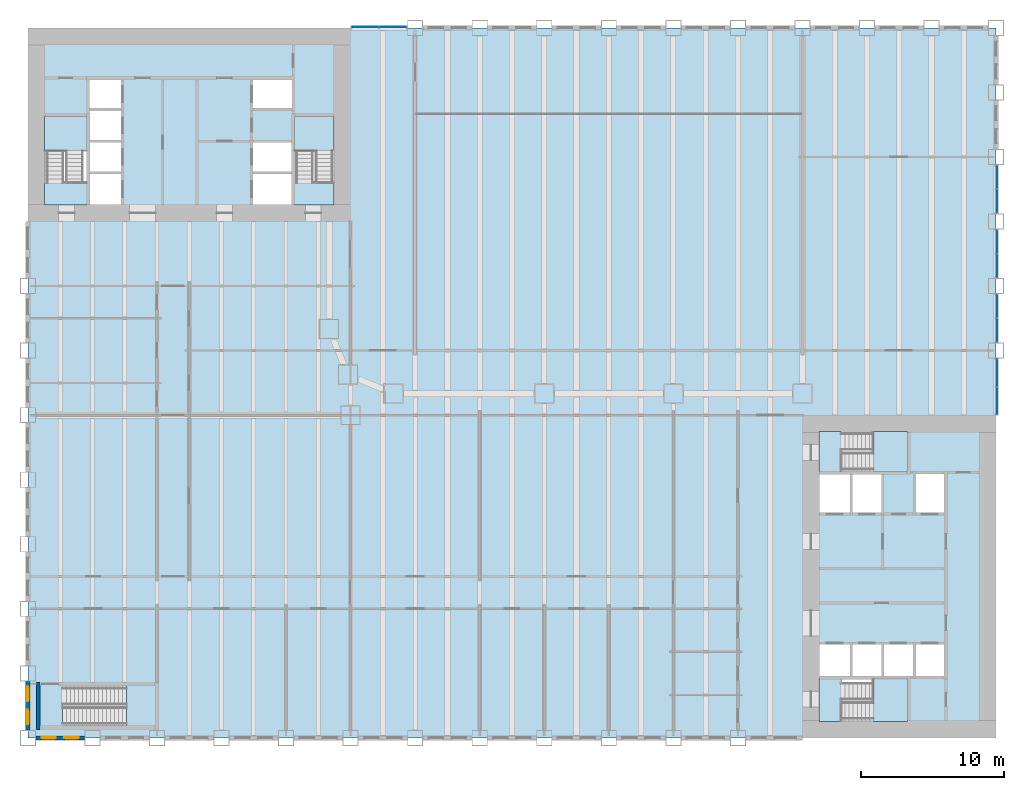
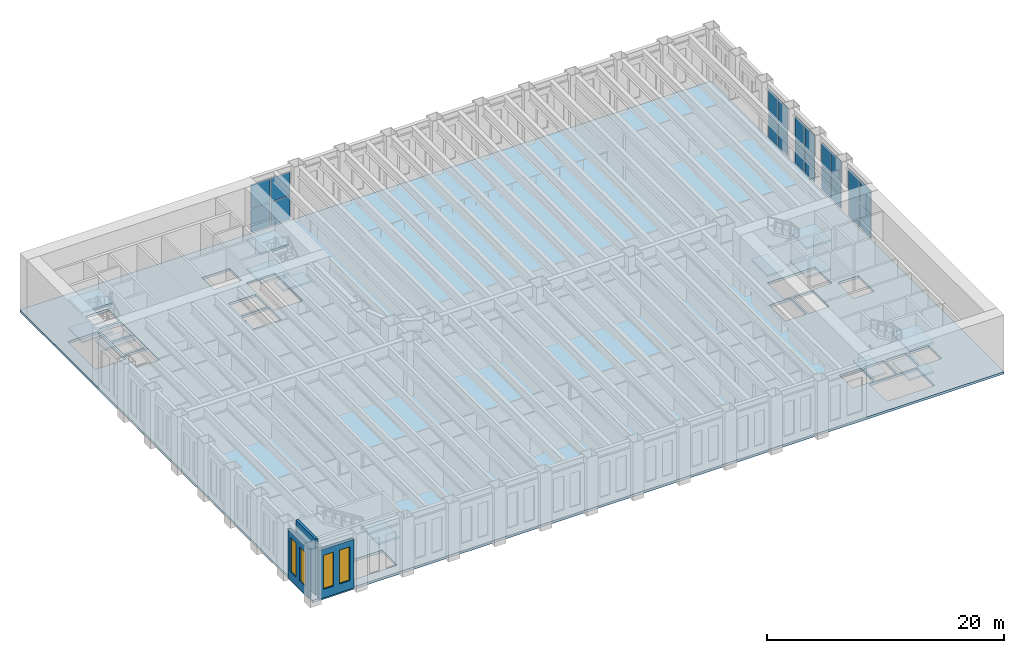
# One storey, part 5 of 19: 20 plates, 14 slabs, 4 windows, 3 walls, 4 openings, 10 elements without a shape of their own.
"""IFC4 building model written with IfcOpenShell, lengths in metres."""

from ifc_helpers import new_model, si_unit, direction, frame, frame_2d, origin, origin_2d, place, context, subcontext, project, spatial, polyline, rectangle, outline, extrude, material, layer, layer_set, type_object, element, fill, aggregate, save


model = new_model("IFC4")

# Units and contexts
model_context = context("Model", 3, precision=1e-05, world=origin(), true_north=direction((0.0, 1.0)))
body_context = subcontext(model_context, "Body", "Model", "MODEL_VIEW")
ifc_project = project(units=[si_unit("LENGTHUNIT", "METRE"), si_unit("AREAUNIT", "SQUARE_METRE"), si_unit("VOLUMEUNIT", "CUBIC_METRE"), si_unit("PLANEANGLEUNIT", "RADIAN"), si_unit("MASSUNIT", "GRAM", prefix="KILO")], contexts=[model_context])

# Site, building, storey
site_placement = place(None, origin())
site = spatial("IfcSite", under=ifc_project, at=site_placement, CompositionType="ELEMENT")
building_placement = place(site_placement, origin())
building = spatial("IfcBuilding", under=site, at=building_placement, Name="Sennacour Bend Tower", CompositionType="ELEMENT")
storey_placement = place(building_placement, frame((0.0, 0.0, 8.0)))
storey = spatial("IfcBuildingStorey", under=building, at=storey_placement, Name="L01", CompositionType="ELEMENT", Elevation=8.0)

# Slab
ifc_material_1 = material(Name="Concrete C30/37", Category="concrete")
ifc_layer_1 = layer(ifc_material_1, 0.25, Name="Concrete C30/37", Category="concrete")
ifc_layer_set_1 = layer_set([ifc_layer_1], Name="Concrete C30/37")
slab_type_1 = type_object("IfcSlabType", Name="Floor slab 250", PredefinedType="FLOOR", material=ifc_layer_set_1)
slab_1_placement = place(storey_placement, frame((0.0, 0.0, -0.25)))
element("IfcSlab", 1, at=slab_1_placement, inside=storey, type_object=slab_type_1, Name="Floor slab L01-01", PredefinedType="FLOOR", context=body_context, shape_type="SweptSolid", body=[
    extrude(outline(polyline([(0.0, 0.0), (0.0, 49.5), (67.5, 49.5), (67.5, 0.0), (0.0, 0.0)]), holes=[polyline([(8.800048828125, 0.949951171875), (8.800048828125, 3.5), (2.429931640625, 3.5), (2.429931640625, 0.949951171875), (8.800048828125, 0.949951171875)]), polyline([(6.5, 37.199951171875), (6.5, 39.300048828125), (4.300048828125, 39.300048828125), (4.300048828125, 37.199951171875), (6.5, 37.199951171875)]), polyline([(18.39990234375, 37.199951171875), (18.39990234375, 39.300048828125), (15.699951171875, 39.300048828125), (15.699951171875, 37.199951171875), (18.39990234375, 37.199951171875)]), polyline([(6.5, 39.5), (6.5, 41.5), (4.300048828125, 41.5), (4.300048828125, 39.5), (6.5, 39.5)]), polyline([(18.39990234375, 39.5), (18.39990234375, 41.5), (15.699951171875, 41.5), (15.699951171875, 39.5), (18.39990234375, 39.5)]), polyline([(4.125, 38.72998046875), (4.125, 43.39990234375), (1.14990234375, 43.39990234375), (1.14990234375, 38.72998046875), (4.125, 38.72998046875)]), polyline([(21.35009765625, 38.72998046875), (21.35009765625, 43.39990234375), (18.574951171875, 43.39990234375), (18.574951171875, 38.72998046875), (21.35009765625, 38.72998046875)]), polyline([(4.300048828125, 41.699951171875), (6.5, 41.699951171875), (6.5, 43.699951171875), (4.300048828125, 43.699951171875), (4.300048828125, 41.699951171875)]), polyline([(4.300048828125, 43.89990234375), (6.5, 43.89990234375), (6.5, 45.89990234375), (4.300048828125, 45.89990234375), (4.300048828125, 43.89990234375)]), polyline([(18.39990234375, 43.89990234375), (18.39990234375, 45.89990234375), (15.699951171875, 45.89990234375), (15.699951171875, 43.89990234375), (18.39990234375, 43.89990234375)]), polyline([(61.39990234375, 1.14990234375), (61.39990234375, 4.125), (56.72998046875, 4.125), (56.72998046875, 1.14990234375), (61.39990234375, 1.14990234375)]), polyline([(57.300048828125, 4.300048828125), (57.300048828125, 6.5), (55.199951171875, 6.5), (55.199951171875, 4.300048828125), (57.300048828125, 4.300048828125)]), polyline([(57.5, 4.300048828125), (59.5, 4.300048828125), (59.5, 6.5), (57.5, 6.5), (57.5, 4.300048828125)]), polyline([(59.699951171875, 4.300048828125), (61.699951171875, 4.300048828125), (61.699951171875, 6.5), (59.699951171875, 6.5), (59.699951171875, 4.300048828125)]), polyline([(63.89990234375, 4.300048828125), (63.89990234375, 6.5), (61.89990234375, 6.5), (61.89990234375, 4.300048828125), (63.89990234375, 4.300048828125)]), polyline([(57.300048828125, 15.699951171875), (57.300048828125, 18.39990234375), (55.199951171875, 18.39990234375), (55.199951171875, 15.699951171875), (57.300048828125, 15.699951171875)]), polyline([(59.5, 15.699951171875), (59.5, 18.39990234375), (57.5, 18.39990234375), (57.5, 15.699951171875), (59.5, 15.699951171875)]), polyline([(61.89990234375, 15.699951171875), (63.89990234375, 15.699951171875), (63.89990234375, 18.39990234375), (61.89990234375, 18.39990234375), (61.89990234375, 15.699951171875)]), polyline([(56.72998046875, 18.574951171875), (61.39990234375, 18.574951171875), (61.39990234375, 21.35009765625), (56.72998046875, 21.35009765625), (56.72998046875, 18.574951171875)])]), origin(), (0.0, 0.0, 1.0), 0.25),
])

# Curtain wall, plates
ifc_material_2 = material(Name="Bronze anodised aluminium curtain wall with clear glass", Category="aluminium")
curtain_wall_type = type_object("IfcCurtainWallType", Name="CURTAIN WALL NOTCH", PredefinedType="NOTDEFINED", material=ifc_material_2)
curtain_wall_1_placement = place(storey_placement, origin())
curtain_wall_1 = element("IfcCurtainWall", 2, at=curtain_wall_1_placement, inside=storey, type_object=curtain_wall_type, Name="Podium glass wall L01", PredefinedType="NOTDEFINED")
ifc_material_3 = material(Name="Clear low-emissivity glass", Category="glass")
ifc_layer_2 = layer(ifc_material_3, 0.031982421875, Name="Clear low-emissivity glass", Category="glass")
ifc_layer_set_2 = layer_set([ifc_layer_2], Name="Clear low-emissivity glass")
plate_type = type_object("IfcPlateType", Name="PNL-GLASS-IGU32", PredefinedType="CURTAIN_PANEL", material=ifc_layer_set_2)
plate_1_placement = place(storey_placement, frame((67.550048828125, 23.503173828125, 0.06005859375), z_axis=(0.0, 0.0, 1.0), x_axis=(0.0, 1.0, 0.0)))
plate_1 = element("IfcPlate", 3, at=plate_1_placement, type_object=plate_type, Name="GW2 curtain wall panel 1.1", PredefinedType="CURTAIN_PANEL", context=body_context, shape_type="SweptSolid", body=[
    extrude(rectangle(XDim=1.884521484375, YDim=0.031982421875, at=origin_2d()), origin(), (0.0, 0.0, 1.0), 2.427978515625),
])
plate_2_placement = place(storey_placement, frame((67.550048828125, 23.503173828125, 2.5478515625), z_axis=(0.0, 0.0, 1.0), x_axis=(0.0, 1.0, 0.0)))
plate_2 = element("IfcPlate", 4, at=plate_2_placement, type_object=plate_type, Name="GW2 curtain wall panel 1.2", PredefinedType="CURTAIN_PANEL", context=body_context, shape_type="SweptSolid", body=[
    extrude(rectangle(XDim=1.884521484375, YDim=0.031982421875, at=origin_2d()), origin(), (0.0, 0.0, 1.0), 2.427978515625),
])
plate_3_placement = place(storey_placement, frame((67.550048828125, 25.44775390625, 0.06005859375), z_axis=(0.0, 0.0, 1.0), x_axis=(0.0, 1.0, 0.0)))
plate_3 = element("IfcPlate", 5, at=plate_3_placement, type_object=plate_type, Name="GW2 curtain wall panel 2.1", PredefinedType="CURTAIN_PANEL", context=body_context, shape_type="SweptSolid", body=[
    extrude(rectangle(XDim=1.884521484375, YDim=0.031982421875, at=origin_2d()), origin(), (0.0, 0.0, 1.0), 2.427978515625),
])
plate_4_placement = place(storey_placement, frame((67.550048828125, 25.44775390625, 2.5478515625), z_axis=(0.0, 0.0, 1.0), x_axis=(0.0, 1.0, 0.0)))
plate_4 = element("IfcPlate", 6, at=plate_4_placement, type_object=plate_type, Name="GW2 curtain wall panel 2.2", PredefinedType="CURTAIN_PANEL", context=body_context, shape_type="SweptSolid", body=[
    extrude(rectangle(XDim=1.884521484375, YDim=0.031982421875, at=origin_2d()), origin(), (0.0, 0.0, 1.0), 2.427978515625),
])
aggregate(curtain_wall_1, [plate_1, plate_2, plate_3, plate_4])

curtain_wall_2_placement = place(storey_placement, origin())
curtain_wall_2 = element("IfcCurtainWall", 7, at=curtain_wall_2_placement, inside=storey, type_object=curtain_wall_type, Name="Podium glass wall L01", PredefinedType="NOTDEFINED")
plate_5_placement = place(storey_placement, frame((67.550048828125, 28.4150390625, 0.06005859375), z_axis=(0.0, 0.0, 1.0), x_axis=(0.0, 1.0, 0.0)))
plate_5 = element("IfcPlate", 8, at=plate_5_placement, type_object=plate_type, Name="GW2 curtain wall panel 1.1", PredefinedType="CURTAIN_PANEL", context=body_context, shape_type="SweptSolid", body=[
    extrude(rectangle(XDim=1.610107421875, YDim=0.031982421875, at=origin_2d()), origin(), (0.0, 0.0, 1.0), 2.427978515625),
])
plate_6_placement = place(storey_placement, frame((67.550048828125, 28.4150390625, 2.5478515625), z_axis=(0.0, 0.0, 1.0), x_axis=(0.0, 1.0, 0.0)))
plate_6 = element("IfcPlate", 9, at=plate_6_placement, type_object=plate_type, Name="GW2 curtain wall panel 1.2", PredefinedType="CURTAIN_PANEL", context=body_context, shape_type="SweptSolid", body=[
    extrude(rectangle(XDim=1.610107421875, YDim=0.031982421875, at=origin_2d()), origin(), (0.0, 0.0, 1.0), 2.427978515625),
])
plate_7_placement = place(storey_placement, frame((67.550048828125, 30.0849609375, 0.06005859375), z_axis=(0.0, 0.0, 1.0), x_axis=(0.0, 1.0, 0.0)))
plate_7 = element("IfcPlate", 10, at=plate_7_placement, type_object=plate_type, Name="GW2 curtain wall panel 2.1", PredefinedType="CURTAIN_PANEL", context=body_context, shape_type="SweptSolid", body=[
    extrude(rectangle(XDim=1.610107421875, YDim=0.031982421875, at=origin_2d()), origin(), (0.0, 0.0, 1.0), 2.427978515625),
])
plate_8_placement = place(storey_placement, frame((67.550048828125, 30.0849609375, 2.5478515625), z_axis=(0.0, 0.0, 1.0), x_axis=(0.0, 1.0, 0.0)))
plate_8 = element("IfcPlate", 11, at=plate_8_placement, type_object=plate_type, Name="GW2 curtain wall panel 2.2", PredefinedType="CURTAIN_PANEL", context=body_context, shape_type="SweptSolid", body=[
    extrude(rectangle(XDim=1.610107421875, YDim=0.031982421875, at=origin_2d()), origin(), (0.0, 0.0, 1.0), 2.427978515625),
])
aggregate(curtain_wall_2, [plate_5, plate_6, plate_7, plate_8])

curtain_wall_3_placement = place(storey_placement, origin())
curtain_wall_3 = element("IfcCurtainWall", 12, at=curtain_wall_3_placement, inside=storey, type_object=curtain_wall_type, Name="Podium glass wall L01", PredefinedType="NOTDEFINED")
plate_9_placement = place(storey_placement, frame((67.550048828125, 32.9150390625, 0.06005859375), z_axis=(0.0, 0.0, 1.0), x_axis=(0.0, 1.0, 0.0)))
plate_9 = element("IfcPlate", 13, at=plate_9_placement, type_object=plate_type, Name="GW2 curtain wall panel 1.1", PredefinedType="CURTAIN_PANEL", context=body_context, shape_type="SweptSolid", body=[
    extrude(rectangle(XDim=1.610107421875, YDim=0.031982421875, at=origin_2d()), origin(), (0.0, 0.0, 1.0), 2.427978515625),
])
plate_10_placement = place(storey_placement, frame((67.550048828125, 32.9150390625, 2.5478515625), z_axis=(0.0, 0.0, 1.0), x_axis=(0.0, 1.0, 0.0)))
plate_10 = element("IfcPlate", 14, at=plate_10_placement, type_object=plate_type, Name="GW2 curtain wall panel 1.2", PredefinedType="CURTAIN_PANEL", context=body_context, shape_type="SweptSolid", body=[
    extrude(rectangle(XDim=1.610107421875, YDim=0.031982421875, at=origin_2d()), origin(), (0.0, 0.0, 1.0), 2.427978515625),
])
plate_11_placement = place(storey_placement, frame((67.550048828125, 34.5849609375, 0.06005859375), z_axis=(0.0, 0.0, 1.0), x_axis=(0.0, 1.0, 0.0)))
plate_11 = element("IfcPlate", 15, at=plate_11_placement, type_object=plate_type, Name="GW2 curtain wall panel 2.1", PredefinedType="CURTAIN_PANEL", context=body_context, shape_type="SweptSolid", body=[
    extrude(rectangle(XDim=1.610107421875, YDim=0.031982421875, at=origin_2d()), origin(), (0.0, 0.0, 1.0), 2.427978515625),
])
plate_12_placement = place(storey_placement, frame((67.550048828125, 34.5849609375, 2.5478515625), z_axis=(0.0, 0.0, 1.0), x_axis=(0.0, 1.0, 0.0)))
plate_12 = element("IfcPlate", 16, at=plate_12_placement, type_object=plate_type, Name="GW2 curtain wall panel 2.2", PredefinedType="CURTAIN_PANEL", context=body_context, shape_type="SweptSolid", body=[
    extrude(rectangle(XDim=1.610107421875, YDim=0.031982421875, at=origin_2d()), origin(), (0.0, 0.0, 1.0), 2.427978515625),
])
aggregate(curtain_wall_3, [plate_9, plate_10, plate_11, plate_12])

curtain_wall_4_placement = place(storey_placement, origin())
curtain_wall_4 = element("IfcCurtainWall", 17, at=curtain_wall_4_placement, inside=storey, type_object=curtain_wall_type, Name="Podium glass wall L01", PredefinedType="NOTDEFINED")
plate_13_placement = place(storey_placement, frame((67.550048828125, 37.4150390625, 0.06005859375), z_axis=(0.0, 0.0, 1.0), x_axis=(0.0, 1.0, 0.0)))
plate_13 = element("IfcPlate", 18, at=plate_13_placement, type_object=plate_type, Name="GW2 curtain wall panel 1.1", PredefinedType="CURTAIN_PANEL", context=body_context, shape_type="SweptSolid", body=[
    extrude(rectangle(XDim=1.610107421875, YDim=0.031982421875, at=origin_2d()), origin(), (0.0, 0.0, 1.0), 2.427978515625),
])
plate_14_placement = place(storey_placement, frame((67.550048828125, 37.4150390625, 2.5478515625), z_axis=(0.0, 0.0, 1.0), x_axis=(0.0, 1.0, 0.0)))
plate_14 = element("IfcPlate", 19, at=plate_14_placement, type_object=plate_type, Name="GW2 curtain wall panel 1.2", PredefinedType="CURTAIN_PANEL", context=body_context, shape_type="SweptSolid", body=[
    extrude(rectangle(XDim=1.610107421875, YDim=0.031982421875, at=origin_2d()), origin(), (0.0, 0.0, 1.0), 2.427978515625),
])
plate_15_placement = place(storey_placement, frame((67.550048828125, 39.0849609375, 0.06005859375), z_axis=(0.0, 0.0, 1.0), x_axis=(0.0, 1.0, 0.0)))
plate_15 = element("IfcPlate", 20, at=plate_15_placement, type_object=plate_type, Name="GW2 curtain wall panel 2.1", PredefinedType="CURTAIN_PANEL", context=body_context, shape_type="SweptSolid", body=[
    extrude(rectangle(XDim=1.610107421875, YDim=0.031982421875, at=origin_2d()), origin(), (0.0, 0.0, 1.0), 2.427978515625),
])
plate_16_placement = place(storey_placement, frame((67.550048828125, 39.0849609375, 2.5478515625), z_axis=(0.0, 0.0, 1.0), x_axis=(0.0, 1.0, 0.0)))
plate_16 = element("IfcPlate", 21, at=plate_16_placement, type_object=plate_type, Name="GW2 curtain wall panel 2.2", PredefinedType="CURTAIN_PANEL", context=body_context, shape_type="SweptSolid", body=[
    extrude(rectangle(XDim=1.610107421875, YDim=0.031982421875, at=origin_2d()), origin(), (0.0, 0.0, 1.0), 2.427978515625),
])
aggregate(curtain_wall_4, [plate_13, plate_14, plate_15, plate_16])

curtain_wall_5_placement = place(storey_placement, origin())
curtain_wall_5 = element("IfcCurtainWall", 22, at=curtain_wall_5_placement, inside=storey, type_object=curtain_wall_type, Name="Podium glass wall L01", PredefinedType="NOTDEFINED")
plate_17_placement = place(storey_placement, frame((25.44775390625, 49.550048828125, 0.06005859375), z_axis=(0.0, 0.0, 1.0), x_axis=(-1.0, 0.0, 0.0)))
plate_17 = element("IfcPlate", 23, at=plate_17_placement, type_object=plate_type, Name="GW2 curtain wall panel 1.1", PredefinedType="CURTAIN_PANEL", context=body_context, shape_type="SweptSolid", body=[
    extrude(rectangle(XDim=1.884521484375, YDim=0.031982421875, at=origin_2d()), origin(), (0.0, 0.0, 1.0), 2.427978515625),
])
plate_18_placement = place(storey_placement, frame((25.44775390625, 49.550048828125, 2.5478515625), z_axis=(0.0, 0.0, 1.0), x_axis=(-1.0, 0.0, 0.0)))
plate_18 = element("IfcPlate", 24, at=plate_18_placement, type_object=plate_type, Name="GW2 curtain wall panel 1.2", PredefinedType="CURTAIN_PANEL", context=body_context, shape_type="SweptSolid", body=[
    extrude(rectangle(XDim=1.884521484375, YDim=0.031982421875, at=origin_2d()), origin(), (0.0, 0.0, 1.0), 2.427978515625),
])
plate_19_placement = place(storey_placement, frame((23.503173828125, 49.550048828125, 0.06005859375), z_axis=(0.0, 0.0, 1.0), x_axis=(-1.0, 0.0, 0.0)))
plate_19 = element("IfcPlate", 25, at=plate_19_placement, type_object=plate_type, Name="GW2 curtain wall panel 2.1", PredefinedType="CURTAIN_PANEL", context=body_context, shape_type="SweptSolid", body=[
    extrude(rectangle(XDim=1.884521484375, YDim=0.031982421875, at=origin_2d()), origin(), (0.0, 0.0, 1.0), 2.427978515625),
])
plate_20_placement = place(storey_placement, frame((23.503173828125, 49.550048828125, 2.5478515625), z_axis=(0.0, 0.0, 1.0), x_axis=(-1.0, 0.0, 0.0)))
plate_20 = element("IfcPlate", 26, at=plate_20_placement, type_object=plate_type, Name="GW2 curtain wall panel 2.2", PredefinedType="CURTAIN_PANEL", context=body_context, shape_type="SweptSolid", body=[
    extrude(rectangle(XDim=1.884521484375, YDim=0.031982421875, at=origin_2d()), origin(), (0.0, 0.0, 1.0), 2.427978515625),
])
aggregate(curtain_wall_5, [plate_17, plate_18, plate_19, plate_20])

# Stair, slabs
ifc_material_4 = material(Name="Concrete C40/50", Category="concrete")
stair_type = type_object("IfcStairType", Name="ST-DOGLEG", PredefinedType="HALF_TURN_STAIR", material=ifc_material_4)
stair_1_placement = place(storey_placement, origin())
stair_1 = element("IfcStair", 27, at=stair_1_placement, inside=storey, type_object=stair_type, Name="L01 Exit stair A1", PredefinedType="HALF_TURN_STAIR")
ifc_layer_3 = layer(ifc_material_4, 0.199951171875, Name="Concrete C40/50", Category="concrete")
ifc_layer_set_3 = layer_set([ifc_layer_3], Name="Concrete C40/50")
slab_type_2 = type_object("IfcSlabType", Name="Stair landing 200", PredefinedType="LANDING", material=ifc_layer_set_3)
slab_2_placement = place(storey_placement, frame((0.0, 0.0, 1.300048828125)))
slab_2 = element("IfcSlab", 28, at=slab_2_placement, type_object=slab_type_2, Name="SA1 landing 1", PredefinedType="LANDING", context=body_context, shape_type="SweptSolid", body=[
    extrude(outline(polyline([(58.93994140625, 1.14990234375), (61.324951171875, 1.14990234375), (61.324951171875, 4.125), (58.93994140625, 4.125), (58.93994140625, 1.14990234375)])), origin(), (0.0, 0.0, 1.0), 0.199951171875),
])
slab_3_placement = place(storey_placement, frame((0.0, 0.0, 2.800048828125)))
slab_3 = element("IfcSlab", 29, at=slab_3_placement, type_object=slab_type_2, Name="SA1 landing 2", PredefinedType="LANDING", context=body_context, shape_type="SweptSolid", body=[
    extrude(outline(polyline([(55.14990234375, 1.14990234375), (56.699951171875, 1.14990234375), (56.699951171875, 4.125), (55.14990234375, 4.125), (55.14990234375, 1.14990234375)])), origin(), (0.0, 0.0, 1.0), 0.199951171875),
])
slab_4_placement = place(storey_placement, frame((0.0, 0.0, 4.300048828125)))
slab_4 = element("IfcSlab", 30, at=slab_4_placement, type_object=slab_type_2, Name="SA1 landing 3", PredefinedType="LANDING", context=body_context, shape_type="SweptSolid", body=[
    extrude(outline(polyline([(58.93994140625, 1.14990234375), (61.324951171875, 1.14990234375), (61.324951171875, 4.125), (58.93994140625, 4.125), (58.93994140625, 1.14990234375)])), origin(), (0.0, 0.0, 1.0), 0.199951171875),
])
aggregate(stair_1, [slab_2, slab_3, slab_4])

stair_2_placement = place(storey_placement, origin())
stair_2 = element("IfcStair", 31, at=stair_2_placement, inside=storey, type_object=stair_type, Name="L01 Exit stair A2", PredefinedType="HALF_TURN_STAIR")
slab_5_placement = place(storey_placement, frame((0.0, 0.0, 1.300048828125)))
slab_5 = element("IfcSlab", 32, at=slab_5_placement, type_object=slab_type_2, Name="SA2 landing 1", PredefinedType="LANDING", context=body_context, shape_type="SweptSolid", body=[
    extrude(outline(polyline([(58.93994140625, 18.574951171875), (61.324951171875, 18.574951171875), (61.324951171875, 21.35009765625), (58.93994140625, 21.35009765625), (58.93994140625, 18.574951171875)])), origin(), (0.0, 0.0, 1.0), 0.199951171875),
])
slab_6_placement = place(storey_placement, frame((0.0, 0.0, 2.800048828125)))
slab_6 = element("IfcSlab", 33, at=slab_6_placement, type_object=slab_type_2, Name="SA2 landing 2", PredefinedType="LANDING", context=body_context, shape_type="SweptSolid", body=[
    extrude(outline(polyline([(55.14990234375, 18.574951171875), (56.699951171875, 18.574951171875), (56.699951171875, 21.35009765625), (55.14990234375, 21.35009765625), (55.14990234375, 18.574951171875)])), origin(), (0.0, 0.0, 1.0), 0.199951171875),
])
slab_7_placement = place(storey_placement, frame((0.0, 0.0, 4.300048828125)))
slab_7 = element("IfcSlab", 34, at=slab_7_placement, type_object=slab_type_2, Name="SA2 landing 3", PredefinedType="LANDING", context=body_context, shape_type="SweptSolid", body=[
    extrude(outline(polyline([(58.93994140625, 18.574951171875), (61.324951171875, 18.574951171875), (61.324951171875, 21.35009765625), (58.93994140625, 21.35009765625), (58.93994140625, 18.574951171875)])), origin(), (0.0, 0.0, 1.0), 0.199951171875),
])
aggregate(stair_2, [slab_5, slab_6, slab_7])

stair_3_placement = place(storey_placement, origin())
stair_3 = element("IfcStair", 35, at=stair_3_placement, inside=storey, type_object=stair_type, Name="L01 Exit stair B1", PredefinedType="HALF_TURN_STAIR")
slab_8_placement = place(storey_placement, frame((0.0, 0.0, 1.300048828125)))
slab_8 = element("IfcSlab", 36, at=slab_8_placement, type_object=slab_type_2, Name="SB1 landing 1", PredefinedType="LANDING", context=body_context, shape_type="SweptSolid", body=[
    extrude(outline(polyline([(1.14990234375, 40.93994140625), (4.125, 40.93994140625), (4.125, 43.324951171875), (1.14990234375, 43.324951171875), (1.14990234375, 40.93994140625)])), origin(), (0.0, 0.0, 1.0), 0.199951171875),
])
slab_9_placement = place(storey_placement, frame((0.0, 0.0, 2.800048828125)))
slab_9 = element("IfcSlab", 37, at=slab_9_placement, type_object=slab_type_2, Name="SB1 landing 2", PredefinedType="LANDING", context=body_context, shape_type="SweptSolid", body=[
    extrude(outline(polyline([(1.14990234375, 37.14990234375), (4.125, 37.14990234375), (4.125, 38.699951171875), (1.14990234375, 38.699951171875), (1.14990234375, 37.14990234375)])), origin(), (0.0, 0.0, 1.0), 0.199951171875),
])
slab_10_placement = place(storey_placement, frame((0.0, 0.0, 4.300048828125)))
slab_10 = element("IfcSlab", 38, at=slab_10_placement, type_object=slab_type_2, Name="SB1 landing 3", PredefinedType="LANDING", context=body_context, shape_type="SweptSolid", body=[
    extrude(outline(polyline([(1.14990234375, 40.93994140625), (4.125, 40.93994140625), (4.125, 43.324951171875), (1.14990234375, 43.324951171875), (1.14990234375, 40.93994140625)])), origin(), (0.0, 0.0, 1.0), 0.199951171875),
])
aggregate(stair_3, [slab_8, slab_9, slab_10])

stair_4_placement = place(storey_placement, origin())
stair_4 = element("IfcStair", 39, at=stair_4_placement, inside=storey, type_object=stair_type, Name="L01 Exit stair B2", PredefinedType="HALF_TURN_STAIR")
slab_11_placement = place(storey_placement, frame((0.0, 0.0, 1.300048828125)))
slab_11 = element("IfcSlab", 40, at=slab_11_placement, type_object=slab_type_2, Name="SB2 landing 1", PredefinedType="LANDING", context=body_context, shape_type="SweptSolid", body=[
    extrude(outline(polyline([(18.574951171875, 40.93994140625), (21.35009765625, 40.93994140625), (21.35009765625, 43.324951171875), (18.574951171875, 43.324951171875), (18.574951171875, 40.93994140625)])), origin(), (0.0, 0.0, 1.0), 0.199951171875),
])
slab_12_placement = place(storey_placement, frame((0.0, 0.0, 2.800048828125)))
slab_12 = element("IfcSlab", 41, at=slab_12_placement, type_object=slab_type_2, Name="SB2 landing 2", PredefinedType="LANDING", context=body_context, shape_type="SweptSolid", body=[
    extrude(outline(polyline([(18.574951171875, 37.14990234375), (21.35009765625, 37.14990234375), (21.35009765625, 38.699951171875), (18.574951171875, 38.699951171875), (18.574951171875, 37.14990234375)])), origin(), (0.0, 0.0, 1.0), 0.199951171875),
])
slab_13_placement = place(storey_placement, frame((0.0, 0.0, 4.300048828125)))
slab_13 = element("IfcSlab", 42, at=slab_13_placement, type_object=slab_type_2, Name="SB2 landing 3", PredefinedType="LANDING", context=body_context, shape_type="SweptSolid", body=[
    extrude(outline(polyline([(18.574951171875, 40.93994140625), (21.35009765625, 40.93994140625), (21.35009765625, 43.324951171875), (18.574951171875, 43.324951171875), (18.574951171875, 40.93994140625)])), origin(), (0.0, 0.0, 1.0), 0.199951171875),
])
aggregate(stair_4, [slab_11, slab_12, slab_13])

# Stair, slab
stair_5_placement = place(storey_placement, origin())
stair_5 = element("IfcStair", 43, at=stair_5_placement, inside=storey, type_object=stair_type, Name="L01 Exit stair K1", PredefinedType="HALF_TURN_STAIR")
slab_14_placement = place(storey_placement, frame((0.0, 0.0, 2.800048828125)))
slab_14 = element("IfcSlab", 44, at=slab_14_placement, type_object=slab_type_2, Name="SK1 landing 1", PredefinedType="LANDING", context=body_context, shape_type="SweptSolid", body=[
    extrude(outline(polyline([(6.8798828125, 0.800048828125), (8.925048828125, 0.800048828125), (8.925048828125, 3.675048828125), (6.8798828125, 3.675048828125), (6.8798828125, 0.800048828125)])), origin(), (0.0, 0.0, 1.0), 0.199951171875),
])
aggregate(stair_5, [slab_14])

# Wall, openings, windows
ifc_material_5 = material(Name="Warm limestone cladding", Category="masonry")
ifc_layer_4 = layer(ifc_material_5, 0.050048828125, Name="Warm limestone cladding", Category="masonry")
ifc_material_6 = material(Name="Precast concrete C40/50", Category="concrete")
ifc_layer_5 = layer(ifc_material_6, 0.25, Name="Precast concrete C40/50", Category="concrete")
ifc_layer_set_4 = layer_set([ifc_layer_4, ifc_layer_5], Name="Precast concrete C40/50 with limestone cladding")
wall_type_1 = type_object("IfcWallType", Name="STONE-CLAD PRECAST SPANDREL 300", PredefinedType="STANDARD", material=ifc_layer_set_4)
wall_1_placement = place(storey_placement, frame((0.0, 3.949951171875, 0.0), z_axis=(0.0, 0.0, 1.0), x_axis=(0.0, -1.0, 0.0)))
wall_1 = element("IfcWall", 45, at=wall_1_placement, inside=storey, type_object=wall_type_1, Name="Stone spandrel and pier wall L01 02.07", PredefinedType="STANDARD", context=body_context, shape_type="SweptSolid", body=[
    extrude(rectangle(XDim=3.39990234375, YDim=0.300048828125, at=frame_2d((1.699951171875, 0.0))), origin(), (0.0, 0.0, 1.0), 5.035888671875),
])
opening_1_placement = place(wall_1_placement, frame((0.39990234375, 0.0, 0.89990234375)))
opening_1 = element("IfcOpeningElement", 46, at=opening_1_placement, cuts=wall_1, Name="Opening W1", PredefinedType="OPENING", context=body_context, shape_type="SweptSolid", body=[
    extrude(rectangle(XDim=1.0, YDim=3.5, at=frame_2d((0.5, 1.75))), frame((0.0, 0.16015625, 0.0), z_axis=(0.0, -1.0, 0.0), x_axis=(1.0, 0.0, 0.0)), (0.0, 0.0, 1.0), 0.320068359375),
])
opening_2_placement = place(wall_1_placement, frame((2.0, 0.0, 0.89990234375)))
opening_2 = element("IfcOpeningElement", 47, at=opening_2_placement, cuts=wall_1, Name="Opening W1", PredefinedType="OPENING", context=body_context, shape_type="SweptSolid", body=[
    extrude(rectangle(XDim=1.0, YDim=3.5, at=frame_2d((0.5, 1.75))), frame((0.0, 0.16015625, 0.0), z_axis=(0.0, -1.0, 0.0), x_axis=(1.0, 0.0, 0.0)), (0.0, 0.0, 1.0), 0.320068359375),
])
window_type = type_object("IfcWindowType", Name="WIN-RIBBON-1000x3500", PartitioningType="SINGLE_PANEL", PredefinedType="WINDOW", material=ifc_material_3)
window_1_placement = place(opening_1_placement, origin())
window_1 = element("IfcWindow", 48, at=window_1_placement, inside=storey, type_object=window_type, Name="Ribbon window L01 02.07.0", OverallHeight=3.5, OverallWidth=1.0, PartitioningType="SINGLE_PANEL", PredefinedType="WINDOW", context=body_context, shape_type="SweptSolid", body=[
    extrude(rectangle(XDim=1.0, YDim=3.5, at=frame_2d((0.5, 1.75))), frame((0.0, 0.030029296875, 0.0), z_axis=(0.0, -1.0, 0.0), x_axis=(1.0, 0.0, 0.0)), (0.0, 0.0, 1.0), 0.06005859375),
])
fill(opening_1, window_1)
window_2_placement = place(opening_2_placement, origin())
window_2 = element("IfcWindow", 49, at=window_2_placement, inside=storey, type_object=window_type, Name="Ribbon window L01 02.07.1", OverallHeight=3.5, OverallWidth=1.0, PartitioningType="SINGLE_PANEL", PredefinedType="WINDOW", context=body_context, shape_type="SweptSolid", body=[
    extrude(rectangle(XDim=1.0, YDim=3.5, at=frame_2d((0.5, 1.75))), frame((0.0, 0.030029296875, 0.0), z_axis=(0.0, -1.0, 0.0), x_axis=(1.0, 0.0, 0.0)), (0.0, 0.0, 1.0), 0.06005859375),
])
fill(opening_2, window_2)

wall_2_placement = place(storey_placement, frame((0.550048828125, 0.0, 0.0), z_axis=(0.0, 0.0, 1.0), x_axis=(1.0, 0.0, 0.0)))
wall_2 = element("IfcWall", 50, at=wall_2_placement, inside=storey, type_object=wall_type_1, Name="Stone spandrel and pier wall L01 03.00", PredefinedType="STANDARD", context=body_context, shape_type="SweptSolid", body=[
    extrude(rectangle(XDim=3.39990234375, YDim=0.300048828125, at=frame_2d((1.699951171875, 0.0))), origin(), (0.0, 0.0, 1.0), 5.035888671875),
])
opening_3_placement = place(wall_2_placement, frame((0.39990234375, 0.0, 0.89990234375)))
opening_3 = element("IfcOpeningElement", 51, at=opening_3_placement, cuts=wall_2, Name="Opening W1", PredefinedType="OPENING", context=body_context, shape_type="SweptSolid", body=[
    extrude(rectangle(XDim=1.0, YDim=3.5, at=frame_2d((0.5, 1.75))), frame((0.0, 0.16015625, 0.0), z_axis=(0.0, -1.0, 0.0), x_axis=(1.0, 0.0, 0.0)), (0.0, 0.0, 1.0), 0.320068359375),
])
opening_4_placement = place(wall_2_placement, frame((2.0, 0.0, 0.89990234375)))
opening_4 = element("IfcOpeningElement", 52, at=opening_4_placement, cuts=wall_2, Name="Opening W1", PredefinedType="OPENING", context=body_context, shape_type="SweptSolid", body=[
    extrude(rectangle(XDim=1.0, YDim=3.5, at=frame_2d((0.5, 1.75))), frame((0.0, 0.16015625, 0.0), z_axis=(0.0, -1.0, 0.0), x_axis=(1.0, 0.0, 0.0)), (0.0, 0.0, 1.0), 0.320068359375),
])
window_3_placement = place(opening_3_placement, origin())
window_3 = element("IfcWindow", 53, at=window_3_placement, inside=storey, type_object=window_type, Name="Ribbon window L01 03.00.0", OverallHeight=3.5, OverallWidth=1.0, PartitioningType="SINGLE_PANEL", PredefinedType="WINDOW", context=body_context, shape_type="SweptSolid", body=[
    extrude(rectangle(XDim=1.0, YDim=3.5, at=frame_2d((0.5, 1.75))), frame((0.0, 0.030029296875, 0.0), z_axis=(0.0, -1.0, 0.0), x_axis=(1.0, 0.0, 0.0)), (0.0, 0.0, 1.0), 0.06005859375),
])
fill(opening_3, window_3)
window_4_placement = place(opening_4_placement, origin())
window_4 = element("IfcWindow", 54, at=window_4_placement, inside=storey, type_object=window_type, Name="Ribbon window L01 03.00.1", OverallHeight=3.5, OverallWidth=1.0, PartitioningType="SINGLE_PANEL", PredefinedType="WINDOW", context=body_context, shape_type="SweptSolid", body=[
    extrude(rectangle(XDim=1.0, YDim=3.5, at=frame_2d((0.5, 1.75))), frame((0.0, 0.030029296875, 0.0), z_axis=(0.0, -1.0, 0.0), x_axis=(1.0, 0.0, 0.0)), (0.0, 0.0, 1.0), 0.06005859375),
])
fill(opening_4, window_4)

# Wall
ifc_material_7 = material(Name="Concrete C60/75", Category="concrete")
ifc_layer_6 = layer(ifc_material_7, 0.25, Name="Concrete C60/75", Category="concrete")
ifc_layer_set_5 = layer_set([ifc_layer_6], Name="Concrete C60/75")
wall_type_2 = type_object("IfcWallType", Name="Stair wall 250", PredefinedType="SHEAR", material=ifc_layer_set_5)
wall_3_placement = place(storey_placement, frame((0.72509765625, 0.60009765625, 0.0), z_axis=(0.0, 0.0, 1.0), x_axis=(0.0, 1.0, 0.0)))
element("IfcWall", 55, at=wall_3_placement, inside=storey, type_object=wall_type_2, Name="P-L01-W002", PredefinedType="SHEAR", context=body_context, shape_type="SweptSolid", body=[
    extrude(rectangle(XDim=3.27490234375, YDim=0.25, at=frame_2d((1.637451171875, 0.0))), origin(), (0.0, 0.0, 1.0), 5.75),
])

save(model, "model.ifc")
